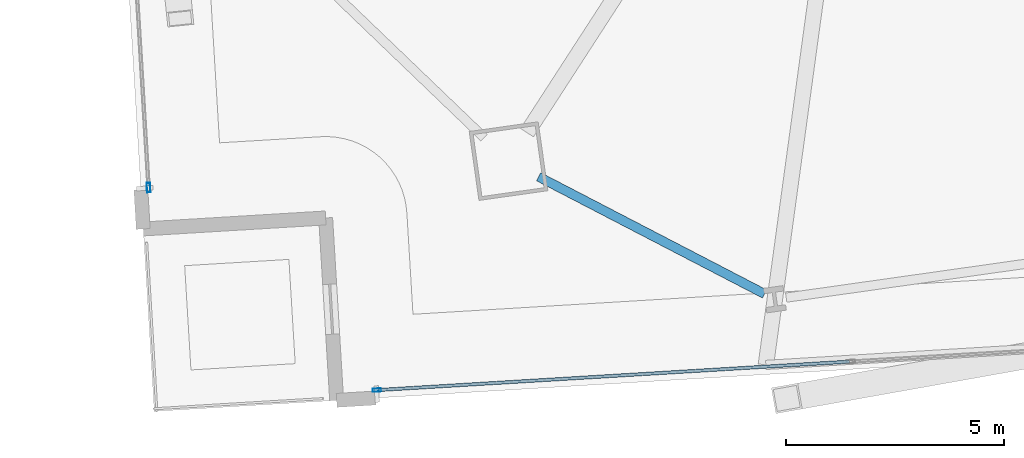
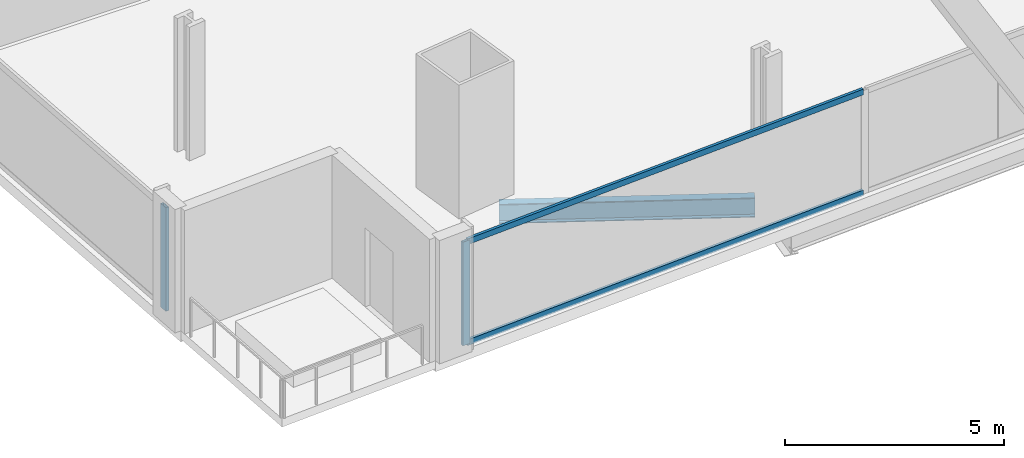
# One storey, part 2 of 34: 4 members, 1 beam, 2 elements without a shape of their own.
"""IFC4 building model written with IfcOpenShell, lengths in metres."""

from ifc_helpers import new_model, si_unit, direction, frame, origin, origin_2d, place, context, subcontext, project, spatial, hollow_rectangle, i_section, extrude, material, material_profile, profile_set, type_object, element, aggregate, save


model = new_model("IFC4")

# Units and contexts
model_context = context("Model", 3, precision=1e-05, world=origin(), true_north=direction((0.0, 1.0)))
body_context = subcontext(model_context, "Body", "Model", "MODEL_VIEW")
ifc_project = project(units=[si_unit("LENGTHUNIT", "METRE"), si_unit("AREAUNIT", "SQUARE_METRE"), si_unit("VOLUMEUNIT", "CUBIC_METRE"), si_unit("PLANEANGLEUNIT", "RADIAN"), si_unit("MASSUNIT", "GRAM", prefix="KILO")], contexts=[model_context])

# Site, building, storey
site_placement = place(None, origin())
site = spatial("IfcSite", under=ifc_project, at=site_placement, CompositionType="ELEMENT")
building_placement = place(site_placement, origin())
building = spatial("IfcBuilding", under=site, at=building_placement, Name="Haldenkirk Collegiate Tower", CompositionType="ELEMENT")
storey_placement = place(building_placement, frame((0.0, 0.0, 40.199951171875)))
storey = spatial("IfcBuildingStorey", under=building, at=storey_placement, Name="L08", CompositionType="ELEMENT", Elevation=40.199951171875)

# Beam
ifc_material_1 = material(Name="Steel ASTM A992 Grade 50", Category="steel")
ifc_material_profile_1 = material_profile(ifc_material_1, i_section(OverallWidth=0.2119140625, OverallDepth=0.5439453125, WebThickness=0.01318359375, FlangeThickness=0.021240234375, at=origin_2d()), Name="W21X83")
ifc_profile_set_1 = profile_set([ifc_material_profile_1], Name="Steel ASTM A992 Grade 50")
beam_type = type_object("IfcBeamType", Name="BM-SPANDREL-W21X83", PredefinedType="SPANDREL", material=ifc_profile_set_1)
beam_placement = place(storey_placement, frame((19.388671875, 4.8125, -0.58203125), z_axis=(0.887640153988, -0.460537682528, 0.0), x_axis=(0.460537682528, 0.887640153988, 0.0)))
element("IfcBeam", 1, at=beam_placement, inside=storey, type_object=beam_type, Name="L08 perimeter spandrel beam 01", PredefinedType="SPANDREL", context=body_context, shape_type="SweptSolid", body=[
    extrude(i_section(OverallWidth=0.2119140625, OverallDepth=0.5439453125, WebThickness=0.01318359375, FlangeThickness=0.021240234375, at=origin_2d()), origin(), (0.0, 0.0, 1.0), 5.848876953125),
])

# Curtain wall, member
ifc_material_2 = material(Name="Anodised architectural bronze aluminium", Category="aluminium")
curtain_wall_type_1 = type_object("IfcCurtainWallType", Name="CW-SYS2-CONCAVE", PredefinedType="USERDEFINED", material=ifc_material_2)
curtain_wall_1_placement = place(storey_placement, origin())
curtain_wall_1 = element("IfcCurtainWall", 2, at=curtain_wall_1_placement, inside=storey, type_object=curtain_wall_type_1, Name="L08 South concave recessed bronze-anodised curtain wall", ObjectType="UNITISED CURTAIN WALL", PredefinedType="USERDEFINED")
ifc_material_profile_2 = material_profile(ifc_material_2, hollow_rectangle(XDim=0.074951171875, YDim=0.18994140625, WallThickness=0.0048828125, at=origin_2d()), Name="CW-MUL-02")
ifc_profile_set_2 = profile_set([ifc_material_profile_2], Name="Anodised architectural bronze aluminium")
member_type_1 = type_object("IfcMemberType", Name="CW-MUL-02", PredefinedType="MULLION", material=ifc_profile_set_2)
member_1_placement = place(storey_placement, frame((15.6708984375, -0.090576171875, 0.0), z_axis=(0.0, 0.0, 1.0), x_axis=(0.060175971067, -0.99818778419, 0.0)))
member_1 = element("IfcMember", 3, at=member_1_placement, type_object=member_type_1, Name="CW-02 mullion 5", PredefinedType="MULLION", context=body_context, shape_type="SweptSolid", body=[
    extrude(hollow_rectangle(XDim=0.074951171875, YDim=0.18994140625, WallThickness=0.0048828125, at=origin_2d()), origin(), (0.0, 0.0, 1.0), 2.89111328125),
])

curtain_wall_type_2 = type_object("IfcCurtainWallType", Name="CW-SYS1-CONVEX-LOW", PredefinedType="USERDEFINED", material=ifc_material_2)
curtain_wall_2_placement = place(storey_placement, origin())
curtain_wall_2 = element("IfcCurtainWall", 4, at=curtain_wall_2_placement, inside=storey, type_object=curtain_wall_type_2, Name="L08 Lower tower convex bronze-framed unitised curtain wall", ObjectType="UNITISED CURTAIN WALL", PredefinedType="USERDEFINED")
ifc_material_profile_3 = material_profile(ifc_material_2, hollow_rectangle(XDim=0.080078125, YDim=0.219970703125, WallThickness=0.0048828125, at=origin_2d()), Name="CW-MUL-1A")
ifc_profile_set_3 = profile_set([ifc_material_profile_3], Name="Anodised architectural bronze aluminium")
member_type_2 = type_object("IfcMemberType", Name="CW-MUL-1A", PredefinedType="MULLION", material=ifc_profile_set_3)
member_2_placement = place(storey_placement, frame((10.423583984375, 4.56201171875, 0.0), z_axis=(0.0, 0.0, 1.0), x_axis=(-0.99818789594, -0.06017411735, 0.0)))
member_2 = element("IfcMember", 5, at=member_2_placement, type_object=member_type_2, Name="CW-1A mullion 1", PredefinedType="MULLION", context=body_context, shape_type="SweptSolid", body=[
    extrude(hollow_rectangle(XDim=0.080078125, YDim=0.219970703125, WallThickness=0.0048828125, at=origin_2d()), origin(), (0.0, 0.0, 1.0), 2.89111328125),
])
aggregate(curtain_wall_2, [member_2])

# Member
ifc_material_profile_4 = material_profile(ifc_material_2, hollow_rectangle(XDim=0.074951171875, YDim=0.159912109375, WallThickness=0.0048828125, at=origin_2d()), Name="CW-TRN-02")
ifc_profile_set_4 = profile_set([ifc_material_profile_4], Name="Anodised architectural bronze aluminium")
member_type_3 = type_object("IfcMemberType", Name="CW-TRN-02", PredefinedType="USERDEFINED", material=ifc_profile_set_4)
member_3_placement = place(storey_placement, frame((26.526123046875, 0.56396484375, 0.03759765625), z_axis=(-0.998186753131, -0.06019307164, 0.0), x_axis=(0.06019307164, -0.998186753131, 0.0)))
member_3 = element("IfcMember", 6, at=member_3_placement, type_object=member_type_3, Name="CW-02 transom 4.1", ObjectType="TRANSOM", PredefinedType="USERDEFINED", context=body_context, shape_type="SweptSolid", body=[
    extrude(hollow_rectangle(XDim=0.074951171875, YDim=0.159912109375, WallThickness=0.0048828125, at=origin_2d()), origin(), (0.0, 0.0, 1.0), 10.83740234375),
])

member_4_placement = place(storey_placement, frame((26.526123046875, 0.56396484375, 2.853515625), z_axis=(-0.998186753131, -0.06019307164, 0.0), x_axis=(0.06019307164, -0.998186753131, 0.0)))
member_4 = element("IfcMember", 7, at=member_4_placement, type_object=member_type_3, Name="CW-02 transom 4.2", ObjectType="TRANSOM", PredefinedType="USERDEFINED", context=body_context, shape_type="SweptSolid", body=[
    extrude(hollow_rectangle(XDim=0.074951171875, YDim=0.159912109375, WallThickness=0.0048828125, at=origin_2d()), origin(), (0.0, 0.0, 1.0), 10.83740234375),
])

aggregate(curtain_wall_1, [member_1, member_3, member_4])

save(model, "model.ifc")
